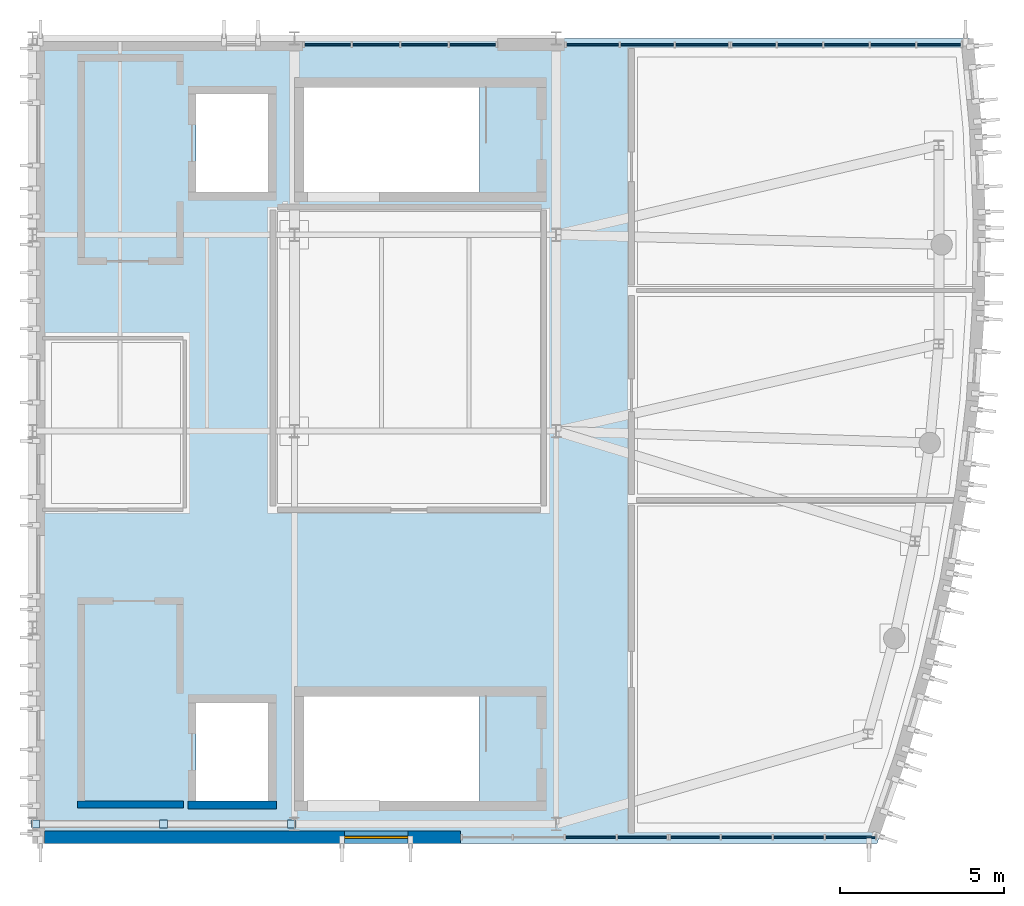
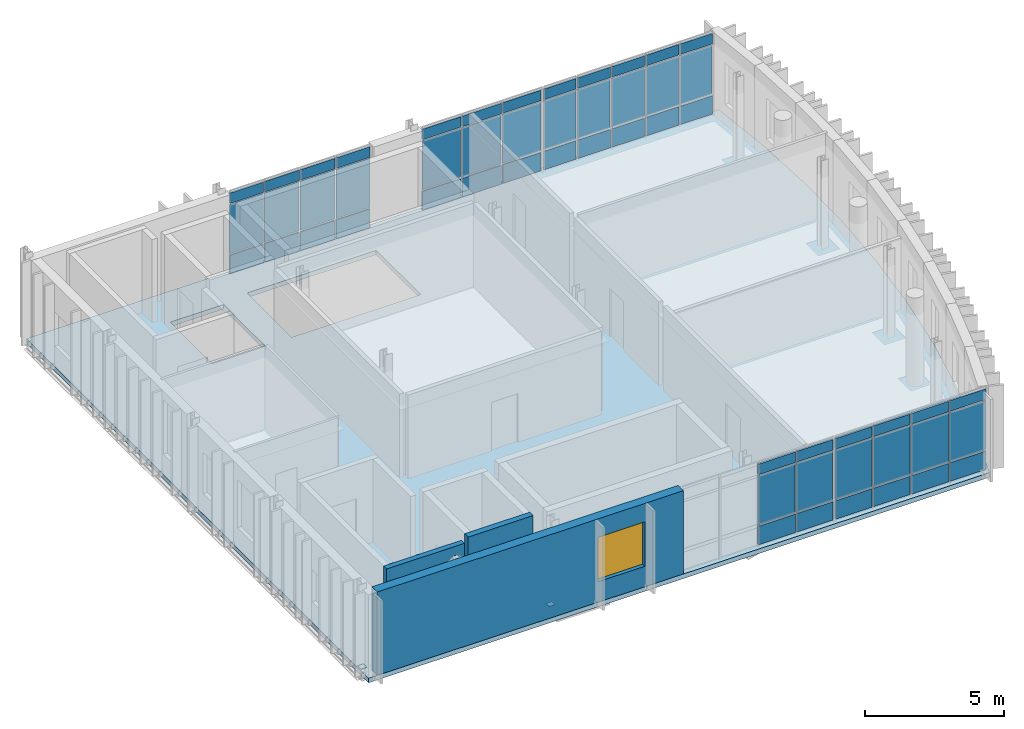
# One storey, part 5 of 9: 57 plates, 3 walls, 1 slab, 1 window, 1 opening, 5 elements without a shape of their own.
"""IFC4 building model written with IfcOpenShell, lengths in metres."""

from ifc_helpers import new_model, si_unit, direction, frame, frame_2d, origin, origin_2d, place, context, subcontext, project, spatial, polyline, rectangle, outline, extrude, material, layer, layer_set, type_object, element, fill, aggregate, save


model = new_model("IFC4")

# Units and contexts
model_context = context("Model", 3, precision=1e-05, world=origin(), true_north=direction((0.0, 1.0)))
body_context = subcontext(model_context, "Body", "Model", "MODEL_VIEW")
ifc_project = project(units=[si_unit("LENGTHUNIT", "METRE"), si_unit("AREAUNIT", "SQUARE_METRE"), si_unit("VOLUMEUNIT", "CUBIC_METRE"), si_unit("PLANEANGLEUNIT", "RADIAN"), si_unit("MASSUNIT", "GRAM", prefix="KILO")], contexts=[model_context])

# Site, building, storey
site_placement = place(None, origin())
site = spatial("IfcSite", under=ifc_project, at=site_placement, CompositionType="ELEMENT")
building_placement = place(site_placement, origin())
building = spatial("IfcBuilding", under=site, at=building_placement, Name="Cymarion Research Institute", CompositionType="ELEMENT")
storey_placement = place(building_placement, frame((0.0, 0.0, 42.300048828125)))
storey = spatial("IfcBuildingStorey", under=building, at=storey_placement, Name="L10", CompositionType="ELEMENT", Elevation=42.300048828125)

# Slab
ifc_material_1 = material(Name="Concrete C35/45", Category="concrete")
ifc_layer_1 = layer(ifc_material_1, 0.199951171875)
ifc_layer_set_1 = layer_set([ifc_layer_1], Name="Concrete C35/45")
slab_type = type_object("IfcSlabType", Name="COMPOSITE FLOOR SLAB SL-FL200 200MM", PredefinedType="FLOOR", material=ifc_layer_set_1)
slab_placement = place(storey_placement, frame((0.0, 0.0, -0.199951171875)))
element("IfcSlab", 1, at=slab_placement, inside=storey, type_object=slab_type, Name="L10 V1 floor slab", PredefinedType="FLOOR", context=body_context, shape_type="SweptSolid", body=[
    extrude(outline(polyline([(138.60009765625, 4.89990234375), (164.39990234375, 4.89990234375), (165.30810546875, 7.526611328125), (166.07470703125, 10.197998046875), (166.697509765625, 12.906494140625), (167.1748046875, 15.64453125), (167.5048828125, 18.404052734375), (167.68701171875, 21.177490234375), (167.720947265625, 23.956298828125), (167.606201171875, 26.733154296875), (167.343505859375, 29.5), (138.60009765625, 29.5), (138.60009765625, 4.89990234375)]), holes=[polyline([(152.260009765625, 9.39990234375), (146.89990234375, 9.39990234375), (146.89990234375, 6.199951171875), (152.260009765625, 6.199951171875), (152.260009765625, 9.39990234375)]), polyline([(143.60009765625, 6.199951171875), (145.800048828125, 6.199951171875), (145.800048828125, 9.199951171875), (143.60009765625, 9.199951171875), (143.60009765625, 6.199951171875)]), polyline([(152.260009765625, 28.0), (146.89990234375, 28.0), (146.89990234375, 24.800048828125), (152.260009765625, 24.800048828125), (152.260009765625, 28.0)]), polyline([(143.60009765625, 24.800048828125), (145.800048828125, 24.800048828125), (145.800048828125, 27.800048828125), (143.60009765625, 27.800048828125), (143.60009765625, 24.800048828125)])]), origin(), (0.0, 0.0, 1.0), 0.199951171875),
])

# Curtain wall, plates
ifc_material_2 = material(Name="Anodised aluminium unitised curtain wall with Low-E glazing", Category="aluminium")
curtain_wall_type_1 = type_object("IfcCurtainWallType", Name="UNITISED CURTAIN WALL CW78 6360X3660", PredefinedType="NOTDEFINED", material=ifc_material_2)
curtain_wall_1_placement = place(storey_placement, origin())
curtain_wall_1 = element("IfcCurtainWall", 2, at=curtain_wall_1_placement, inside=storey, type_object=curtain_wall_type_1, Name="L10 V1 unitised curtain wall CW78 #253", PredefinedType="NOTDEFINED")
ifc_material_3 = material(Name="Insulated anodised aluminium spandrel panel", Category="aluminium")
ifc_layer_2 = layer(ifc_material_3, 0.06005859375)
ifc_layer_set_2 = layer_set([ifc_layer_2], Name="Insulated anodised aluminium spandrel panel")
plate_type_1 = type_object("IfcPlateType", Name="INSULATED ALUMINIUM SPANDREL PANEL SP01 60MM", PredefinedType="SHEET", material=ifc_layer_set_2)
plate_1_placement = place(storey_placement, frame((155.65576171875, 5.090087890625, 0.059814453125), z_axis=(0.0, 0.0, 1.0), x_axis=(1.0, 0.0, 0.0)))
plate_1 = element("IfcPlate", 3, at=plate_1_placement, type_object=plate_type_1, Name="CW78 panel 3.1", PredefinedType="SHEET", context=body_context, shape_type="SweptSolid", body=[
    extrude(rectangle(XDim=1.52978515625, YDim=0.06005859375, at=origin_2d()), origin(), (0.0, 0.0, 1.0), 0.81005859375),
])
plate_2_placement = place(storey_placement, frame((155.65576171875, 5.090087890625, 3.139892578125), z_axis=(0.0, 0.0, 1.0), x_axis=(1.0, 0.0, 0.0)))
plate_2 = element("IfcPlate", 4, at=plate_2_placement, type_object=plate_type_1, Name="CW78 panel 3.3", PredefinedType="SHEET", context=body_context, shape_type="SweptSolid", body=[
    extrude(rectangle(XDim=1.52978515625, YDim=0.06005859375, at=origin_2d()), origin(), (0.0, 0.0, 1.0), 0.4599609375),
])
plate_3_placement = place(storey_placement, frame((157.23046875, 5.090087890625, 0.059814453125), z_axis=(0.0, 0.0, 1.0), x_axis=(1.0, 0.0, 0.0)))
plate_3 = element("IfcPlate", 5, at=plate_3_placement, type_object=plate_type_1, Name="CW78 panel 4.1", PredefinedType="SHEET", context=body_context, shape_type="SweptSolid", body=[
    extrude(rectangle(XDim=1.499755859375, YDim=0.06005859375, at=origin_2d()), origin(), (0.0, 0.0, 1.0), 0.81005859375),
])
plate_4_placement = place(storey_placement, frame((157.23046875, 5.090087890625, 3.139892578125), z_axis=(0.0, 0.0, 1.0), x_axis=(1.0, 0.0, 0.0)))
plate_4 = element("IfcPlate", 6, at=plate_4_placement, type_object=plate_type_1, Name="CW78 panel 4.3", PredefinedType="SHEET", context=body_context, shape_type="SweptSolid", body=[
    extrude(rectangle(XDim=1.499755859375, YDim=0.06005859375, at=origin_2d()), origin(), (0.0, 0.0, 1.0), 0.4599609375),
])

curtain_wall_2_placement = place(storey_placement, origin())
curtain_wall_2 = element("IfcCurtainWall", 7, at=curtain_wall_2_placement, inside=storey, type_object=curtain_wall_type_1, Name="L10 V1 unitised curtain wall CW78 #254", PredefinedType="NOTDEFINED")
plate_5_placement = place(storey_placement, frame((158.850341796875, 5.090087890625, 0.059814453125), z_axis=(0.0, 0.0, 1.0), x_axis=(1.0, 0.0, 0.0)))
plate_5 = element("IfcPlate", 8, at=plate_5_placement, type_object=plate_type_1, Name="CW78 panel 1.1", PredefinedType="SHEET", context=body_context, shape_type="SweptSolid", body=[
    extrude(rectangle(XDim=1.499755859375, YDim=0.06005859375, at=origin_2d()), origin(), (0.0, 0.0, 1.0), 0.81005859375),
])
plate_6_placement = place(storey_placement, frame((158.850341796875, 5.090087890625, 3.139892578125), z_axis=(0.0, 0.0, 1.0), x_axis=(1.0, 0.0, 0.0)))
plate_6 = element("IfcPlate", 9, at=plate_6_placement, type_object=plate_type_1, Name="CW78 panel 1.3", PredefinedType="SHEET", context=body_context, shape_type="SweptSolid", body=[
    extrude(rectangle(XDim=1.499755859375, YDim=0.06005859375, at=origin_2d()), origin(), (0.0, 0.0, 1.0), 0.4599609375),
])
plate_7_placement = place(storey_placement, frame((160.42529296875, 5.090087890625, 0.059814453125), z_axis=(0.0, 0.0, 1.0), x_axis=(1.0, 0.0, 0.0)))
plate_7 = element("IfcPlate", 10, at=plate_7_placement, type_object=plate_type_1, Name="CW78 panel 2.1", PredefinedType="SHEET", context=body_context, shape_type="SweptSolid", body=[
    extrude(rectangle(XDim=1.52978515625, YDim=0.06005859375, at=origin_2d()), origin(), (0.0, 0.0, 1.0), 0.81005859375),
])
plate_8_placement = place(storey_placement, frame((160.42529296875, 5.090087890625, 3.139892578125), z_axis=(0.0, 0.0, 1.0), x_axis=(1.0, 0.0, 0.0)))
plate_8 = element("IfcPlate", 11, at=plate_8_placement, type_object=plate_type_1, Name="CW78 panel 2.3", PredefinedType="SHEET", context=body_context, shape_type="SweptSolid", body=[
    extrude(rectangle(XDim=1.52978515625, YDim=0.06005859375, at=origin_2d()), origin(), (0.0, 0.0, 1.0), 0.4599609375),
])
plate_9_placement = place(storey_placement, frame((162.01513671875, 5.090087890625, 0.059814453125), z_axis=(0.0, 0.0, 1.0), x_axis=(1.0, 0.0, 0.0)))
plate_9 = element("IfcPlate", 12, at=plate_9_placement, type_object=plate_type_1, Name="CW78 panel 3.1", PredefinedType="SHEET", context=body_context, shape_type="SweptSolid", body=[
    extrude(rectangle(XDim=1.52978515625, YDim=0.06005859375, at=origin_2d()), origin(), (0.0, 0.0, 1.0), 0.81005859375),
])
plate_10_placement = place(storey_placement, frame((162.01513671875, 5.090087890625, 3.139892578125), z_axis=(0.0, 0.0, 1.0), x_axis=(1.0, 0.0, 0.0)))
plate_10 = element("IfcPlate", 13, at=plate_10_placement, type_object=plate_type_1, Name="CW78 panel 3.3", PredefinedType="SHEET", context=body_context, shape_type="SweptSolid", body=[
    extrude(rectangle(XDim=1.52978515625, YDim=0.06005859375, at=origin_2d()), origin(), (0.0, 0.0, 1.0), 0.4599609375),
])
plate_11_placement = place(storey_placement, frame((163.590087890625, 5.090087890625, 0.059814453125), z_axis=(0.0, 0.0, 1.0), x_axis=(1.0, 0.0, 0.0)))
plate_11 = element("IfcPlate", 14, at=plate_11_placement, type_object=plate_type_1, Name="CW78 panel 4.1", PredefinedType="SHEET", context=body_context, shape_type="SweptSolid", body=[
    extrude(rectangle(XDim=1.499755859375, YDim=0.06005859375, at=origin_2d()), origin(), (0.0, 0.0, 1.0), 0.81005859375),
])
plate_12_placement = place(storey_placement, frame((163.590087890625, 5.090087890625, 3.139892578125), z_axis=(0.0, 0.0, 1.0), x_axis=(1.0, 0.0, 0.0)))
plate_12 = element("IfcPlate", 15, at=plate_12_placement, type_object=plate_type_1, Name="CW78 panel 4.3", PredefinedType="SHEET", context=body_context, shape_type="SweptSolid", body=[
    extrude(rectangle(XDim=1.499755859375, YDim=0.06005859375, at=origin_2d()), origin(), (0.0, 0.0, 1.0), 0.4599609375),
])

curtain_wall_type_2 = type_object("IfcCurtainWallType", Name="UNITISED CURTAIN WALL CW79 7100X3660", PredefinedType="NOTDEFINED", material=ifc_material_2)
curtain_wall_3_placement = place(storey_placement, origin())
curtain_wall_3 = element("IfcCurtainWall", 16, at=curtain_wall_3_placement, inside=storey, type_object=curtain_wall_type_2, Name="L10 V1 unitised curtain wall CW79 #255", PredefinedType="NOTDEFINED")
plate_13_placement = place(storey_placement, frame((166.29052734375, 29.31005859375, 0.059814453125), z_axis=(0.0, 0.0, 1.0), x_axis=(-1.0, 0.0, 0.0)))
plate_13 = element("IfcPlate", 17, at=plate_13_placement, type_object=plate_type_1, Name="CW79 panel 1.1", PredefinedType="SHEET", context=body_context, shape_type="SweptSolid", body=[
    extrude(rectangle(XDim=1.330810546875, YDim=0.06005859375, at=origin_2d()), origin(), (0.0, 0.0, 1.0), 0.81005859375),
])
plate_14_placement = place(storey_placement, frame((166.29052734375, 29.31005859375, 3.139892578125), z_axis=(0.0, 0.0, 1.0), x_axis=(-1.0, 0.0, 0.0)))
plate_14 = element("IfcPlate", 18, at=plate_14_placement, type_object=plate_type_1, Name="CW79 panel 1.3", PredefinedType="SHEET", context=body_context, shape_type="SweptSolid", body=[
    extrude(rectangle(XDim=1.330810546875, YDim=0.06005859375, at=origin_2d()), origin(), (0.0, 0.0, 1.0), 0.4599609375),
])
plate_15_placement = place(storey_placement, frame((164.884765625, 29.31005859375, 0.059814453125), z_axis=(0.0, 0.0, 1.0), x_axis=(-1.0, 0.0, 0.0)))
plate_15 = element("IfcPlate", 19, at=plate_15_placement, type_object=plate_type_1, Name="CW79 panel 2.1", PredefinedType="SHEET", context=body_context, shape_type="SweptSolid", body=[
    extrude(rectangle(XDim=1.36083984375, YDim=0.06005859375, at=origin_2d()), origin(), (0.0, 0.0, 1.0), 0.81005859375),
])
plate_16_placement = place(storey_placement, frame((164.884765625, 29.31005859375, 3.139892578125), z_axis=(0.0, 0.0, 1.0), x_axis=(-1.0, 0.0, 0.0)))
plate_16 = element("IfcPlate", 20, at=plate_16_placement, type_object=plate_type_1, Name="CW79 panel 2.3", PredefinedType="SHEET", context=body_context, shape_type="SweptSolid", body=[
    extrude(rectangle(XDim=1.36083984375, YDim=0.06005859375, at=origin_2d()), origin(), (0.0, 0.0, 1.0), 0.4599609375),
])
plate_17_placement = place(storey_placement, frame((163.4638671875, 29.31005859375, 0.059814453125), z_axis=(0.0, 0.0, 1.0), x_axis=(-1.0, 0.0, 0.0)))
plate_17 = element("IfcPlate", 21, at=plate_17_placement, type_object=plate_type_1, Name="CW79 panel 3.1", PredefinedType="SHEET", context=body_context, shape_type="SweptSolid", body=[
    extrude(rectangle(XDim=1.36083984375, YDim=0.06005859375, at=origin_2d()), origin(), (0.0, 0.0, 1.0), 0.81005859375),
])
plate_18_placement = place(storey_placement, frame((163.4638671875, 29.31005859375, 3.139892578125), z_axis=(0.0, 0.0, 1.0), x_axis=(-1.0, 0.0, 0.0)))
plate_18 = element("IfcPlate", 22, at=plate_18_placement, type_object=plate_type_1, Name="CW79 panel 3.3", PredefinedType="SHEET", context=body_context, shape_type="SweptSolid", body=[
    extrude(rectangle(XDim=1.36083984375, YDim=0.06005859375, at=origin_2d()), origin(), (0.0, 0.0, 1.0), 0.4599609375),
])
plate_19_placement = place(storey_placement, frame((162.043212890625, 29.31005859375, 0.059814453125), z_axis=(0.0, 0.0, 1.0), x_axis=(-1.0, 0.0, 0.0)))
plate_19 = element("IfcPlate", 23, at=plate_19_placement, type_object=plate_type_1, Name="CW79 panel 4.1", PredefinedType="SHEET", context=body_context, shape_type="SweptSolid", body=[
    extrude(rectangle(XDim=1.36083984375, YDim=0.06005859375, at=origin_2d()), origin(), (0.0, 0.0, 1.0), 0.81005859375),
])
plate_20_placement = place(storey_placement, frame((162.043212890625, 29.31005859375, 3.139892578125), z_axis=(0.0, 0.0, 1.0), x_axis=(-1.0, 0.0, 0.0)))
plate_20 = element("IfcPlate", 24, at=plate_20_placement, type_object=plate_type_1, Name="CW79 panel 4.3", PredefinedType="SHEET", context=body_context, shape_type="SweptSolid", body=[
    extrude(rectangle(XDim=1.36083984375, YDim=0.06005859375, at=origin_2d()), origin(), (0.0, 0.0, 1.0), 0.4599609375),
])
plate_21_placement = place(storey_placement, frame((160.63720703125, 29.31005859375, 0.059814453125), z_axis=(0.0, 0.0, 1.0), x_axis=(-1.0, 0.0, 0.0)))
plate_21 = element("IfcPlate", 25, at=plate_21_placement, type_object=plate_type_1, Name="CW79 panel 5.1", PredefinedType="SHEET", context=body_context, shape_type="SweptSolid", body=[
    extrude(rectangle(XDim=1.330810546875, YDim=0.06005859375, at=origin_2d()), origin(), (0.0, 0.0, 1.0), 0.81005859375),
])
plate_22_placement = place(storey_placement, frame((160.63720703125, 29.31005859375, 3.139892578125), z_axis=(0.0, 0.0, 1.0), x_axis=(-1.0, 0.0, 0.0)))
plate_22 = element("IfcPlate", 26, at=plate_22_placement, type_object=plate_type_1, Name="CW79 panel 5.3", PredefinedType="SHEET", context=body_context, shape_type="SweptSolid", body=[
    extrude(rectangle(XDim=1.330810546875, YDim=0.06005859375, at=origin_2d()), origin(), (0.0, 0.0, 1.0), 0.4599609375),
])

curtain_wall_type_3 = type_object("IfcCurtainWallType", Name="UNITISED CURTAIN WALL CW80 5050X3660", PredefinedType="NOTDEFINED", material=ifc_material_2)
curtain_wall_4_placement = place(storey_placement, origin())
curtain_wall_4 = element("IfcCurtainWall", 27, at=curtain_wall_4_placement, inside=storey, type_object=curtain_wall_type_3, Name="L10 V1 unitised curtain wall CW80 #256", PredefinedType="NOTDEFINED")
plate_23_placement = place(storey_placement, frame((159.054931640625, 29.31005859375, 0.059814453125), z_axis=(0.0, 0.0, 1.0), x_axis=(-1.0, 0.0, 0.0)))
plate_23 = element("IfcPlate", 28, at=plate_23_placement, type_object=plate_type_1, Name="CW80 panel 1.1", PredefinedType="SHEET", context=body_context, shape_type="SweptSolid", body=[
    extrude(rectangle(XDim=1.593994140625, YDim=0.06005859375, at=origin_2d()), origin(), (0.0, 0.0, 1.0), 0.81005859375),
])
plate_24_placement = place(storey_placement, frame((159.054931640625, 29.31005859375, 3.139892578125), z_axis=(0.0, 0.0, 1.0), x_axis=(-1.0, 0.0, 0.0)))
plate_24 = element("IfcPlate", 29, at=plate_24_placement, type_object=plate_type_1, Name="CW80 panel 1.3", PredefinedType="SHEET", context=body_context, shape_type="SweptSolid", body=[
    extrude(rectangle(XDim=1.593994140625, YDim=0.06005859375, at=origin_2d()), origin(), (0.0, 0.0, 1.0), 0.4599609375),
])
plate_25_placement = place(storey_placement, frame((157.385986328125, 29.31005859375, 0.059814453125), z_axis=(0.0, 0.0, 1.0), x_axis=(-1.0, 0.0, 0.0)))
plate_25 = element("IfcPlate", 30, at=plate_25_placement, type_object=plate_type_1, Name="CW80 panel 2.1", PredefinedType="SHEET", context=body_context, shape_type="SweptSolid", body=[
    extrude(rectangle(XDim=1.6240234375, YDim=0.06005859375, at=origin_2d()), origin(), (0.0, 0.0, 1.0), 0.81005859375),
])
plate_26_placement = place(storey_placement, frame((157.385986328125, 29.31005859375, 3.139892578125), z_axis=(0.0, 0.0, 1.0), x_axis=(-1.0, 0.0, 0.0)))
plate_26 = element("IfcPlate", 31, at=plate_26_placement, type_object=plate_type_1, Name="CW80 panel 2.3", PredefinedType="SHEET", context=body_context, shape_type="SweptSolid", body=[
    extrude(rectangle(XDim=1.6240234375, YDim=0.06005859375, at=origin_2d()), origin(), (0.0, 0.0, 1.0), 0.4599609375),
])
plate_27_placement = place(storey_placement, frame((155.717041015625, 29.31005859375, 0.059814453125), z_axis=(0.0, 0.0, 1.0), x_axis=(-1.0, 0.0, 0.0)))
plate_27 = element("IfcPlate", 32, at=plate_27_placement, type_object=plate_type_1, Name="CW80 panel 3.1", PredefinedType="SHEET", context=body_context, shape_type="SweptSolid", body=[
    extrude(rectangle(XDim=1.593994140625, YDim=0.06005859375, at=origin_2d()), origin(), (0.0, 0.0, 1.0), 0.81005859375),
])
plate_28_placement = place(storey_placement, frame((155.717041015625, 29.31005859375, 3.139892578125), z_axis=(0.0, 0.0, 1.0), x_axis=(-1.0, 0.0, 0.0)))
plate_28 = element("IfcPlate", 33, at=plate_28_placement, type_object=plate_type_1, Name="CW80 panel 3.3", PredefinedType="SHEET", context=body_context, shape_type="SweptSolid", body=[
    extrude(rectangle(XDim=1.593994140625, YDim=0.06005859375, at=origin_2d()), origin(), (0.0, 0.0, 1.0), 0.4599609375),
])

curtain_wall_type_4 = type_object("IfcCurtainWallType", Name="UNITISED CURTAIN WALL CW81 5950X3660", PredefinedType="NOTDEFINED", material=ifc_material_2)
curtain_wall_5_placement = place(storey_placement, origin())
curtain_wall_5 = element("IfcCurtainWall", 34, at=curtain_wall_5_placement, inside=storey, type_object=curtain_wall_type_4, Name="L10 V1 unitised curtain wall CW81 #257", PredefinedType="NOTDEFINED")
plate_29_placement = place(storey_placement, frame((152.04931640625, 29.31005859375, 0.059814453125), z_axis=(0.0, 0.0, 1.0), x_axis=(-1.0, 0.0, 0.0)))
plate_29 = element("IfcPlate", 35, at=plate_29_placement, type_object=plate_type_1, Name="CW81 panel 1.1", PredefinedType="SHEET", context=body_context, shape_type="SweptSolid", body=[
    extrude(rectangle(XDim=1.39697265625, YDim=0.06005859375, at=origin_2d()), origin(), (0.0, 0.0, 1.0), 0.81005859375),
])
plate_30_placement = place(storey_placement, frame((152.04931640625, 29.31005859375, 3.139892578125), z_axis=(0.0, 0.0, 1.0), x_axis=(-1.0, 0.0, 0.0)))
plate_30 = element("IfcPlate", 36, at=plate_30_placement, type_object=plate_type_1, Name="CW81 panel 1.3", PredefinedType="SHEET", context=body_context, shape_type="SweptSolid", body=[
    extrude(rectangle(XDim=1.39697265625, YDim=0.06005859375, at=origin_2d()), origin(), (0.0, 0.0, 1.0), 0.4599609375),
])
plate_31_placement = place(storey_placement, frame((150.577392578125, 29.31005859375, 0.059814453125), z_axis=(0.0, 0.0, 1.0), x_axis=(-1.0, 0.0, 0.0)))
plate_31 = element("IfcPlate", 37, at=plate_31_placement, type_object=plate_type_1, Name="CW81 panel 2.1", PredefinedType="SHEET", context=body_context, shape_type="SweptSolid", body=[
    extrude(rectangle(XDim=1.427001953125, YDim=0.06005859375, at=origin_2d()), origin(), (0.0, 0.0, 1.0), 0.81005859375),
])
plate_32_placement = place(storey_placement, frame((150.577392578125, 29.31005859375, 3.139892578125), z_axis=(0.0, 0.0, 1.0), x_axis=(-1.0, 0.0, 0.0)))
plate_32 = element("IfcPlate", 38, at=plate_32_placement, type_object=plate_type_1, Name="CW81 panel 2.3", PredefinedType="SHEET", context=body_context, shape_type="SweptSolid", body=[
    extrude(rectangle(XDim=1.427001953125, YDim=0.06005859375, at=origin_2d()), origin(), (0.0, 0.0, 1.0), 0.4599609375),
])
plate_33_placement = place(storey_placement, frame((149.090576171875, 29.31005859375, 0.059814453125), z_axis=(0.0, 0.0, 1.0), x_axis=(-1.0, 0.0, 0.0)))
plate_33 = element("IfcPlate", 39, at=plate_33_placement, type_object=plate_type_1, Name="CW81 panel 3.1", PredefinedType="SHEET", context=body_context, shape_type="SweptSolid", body=[
    extrude(rectangle(XDim=1.427001953125, YDim=0.06005859375, at=origin_2d()), origin(), (0.0, 0.0, 1.0), 0.81005859375),
])
plate_34_placement = place(storey_placement, frame((149.090576171875, 29.31005859375, 3.139892578125), z_axis=(0.0, 0.0, 1.0), x_axis=(-1.0, 0.0, 0.0)))
plate_34 = element("IfcPlate", 40, at=plate_34_placement, type_object=plate_type_1, Name="CW81 panel 3.3", PredefinedType="SHEET", context=body_context, shape_type="SweptSolid", body=[
    extrude(rectangle(XDim=1.427001953125, YDim=0.06005859375, at=origin_2d()), origin(), (0.0, 0.0, 1.0), 0.4599609375),
])
plate_35_placement = place(storey_placement, frame((147.618408203125, 29.31005859375, 0.059814453125), z_axis=(0.0, 0.0, 1.0), x_axis=(-1.0, 0.0, 0.0)))
plate_35 = element("IfcPlate", 41, at=plate_35_placement, type_object=plate_type_1, Name="CW81 panel 4.1", PredefinedType="SHEET", context=body_context, shape_type="SweptSolid", body=[
    extrude(rectangle(XDim=1.39697265625, YDim=0.06005859375, at=origin_2d()), origin(), (0.0, 0.0, 1.0), 0.81005859375),
])
plate_36_placement = place(storey_placement, frame((147.618408203125, 29.31005859375, 3.139892578125), z_axis=(0.0, 0.0, 1.0), x_axis=(-1.0, 0.0, 0.0)))
plate_36 = element("IfcPlate", 42, at=plate_36_placement, type_object=plate_type_1, Name="CW81 panel 4.3", PredefinedType="SHEET", context=body_context, shape_type="SweptSolid", body=[
    extrude(rectangle(XDim=1.39697265625, YDim=0.06005859375, at=origin_2d()), origin(), (0.0, 0.0, 1.0), 0.4599609375),
])

# Plate
ifc_material_4 = material(Name="Low-E double solar-control glazing", Category="glass")
ifc_layer_3 = layer(ifc_material_4, 0.035888671875)
ifc_layer_set_3 = layer_set([ifc_layer_3], Name="Low-E double solar-control glazing")
plate_type_2 = type_object("IfcPlateType", Name="SOLAR CONTROL GLAZED VISION PANEL GP01 36MM", PredefinedType="CURTAIN_PANEL", material=ifc_layer_set_3)
plate_37_placement = place(storey_placement, frame((155.65576171875, 5.090087890625, 0.929931640625), z_axis=(0.0, 0.0, 1.0), x_axis=(1.0, 0.0, 0.0)))
plate_37 = element("IfcPlate", 43, at=plate_37_placement, type_object=plate_type_2, Name="CW78 panel 3.2", PredefinedType="CURTAIN_PANEL", context=body_context, shape_type="SweptSolid", body=[
    extrude(rectangle(XDim=1.52978515625, YDim=0.035888671875, at=origin_2d()), origin(), (0.0, 0.0, 1.0), 2.14990234375),
])

plate_38_placement = place(storey_placement, frame((157.23046875, 5.090087890625, 0.929931640625), z_axis=(0.0, 0.0, 1.0), x_axis=(1.0, 0.0, 0.0)))
plate_38 = element("IfcPlate", 44, at=plate_38_placement, type_object=plate_type_2, Name="CW78 panel 4.2", PredefinedType="CURTAIN_PANEL", context=body_context, shape_type="SweptSolid", body=[
    extrude(rectangle(XDim=1.499755859375, YDim=0.035888671875, at=origin_2d()), origin(), (0.0, 0.0, 1.0), 2.14990234375),
])

aggregate(curtain_wall_1, [plate_1, plate_37, plate_2, plate_3, plate_38, plate_4])

plate_39_placement = place(storey_placement, frame((158.850341796875, 5.090087890625, 0.929931640625), z_axis=(0.0, 0.0, 1.0), x_axis=(1.0, 0.0, 0.0)))
plate_39 = element("IfcPlate", 45, at=plate_39_placement, type_object=plate_type_2, Name="CW78 panel 1.2", PredefinedType="CURTAIN_PANEL", context=body_context, shape_type="SweptSolid", body=[
    extrude(rectangle(XDim=1.499755859375, YDim=0.035888671875, at=origin_2d()), origin(), (0.0, 0.0, 1.0), 2.14990234375),
])

plate_40_placement = place(storey_placement, frame((160.42529296875, 5.090087890625, 0.929931640625), z_axis=(0.0, 0.0, 1.0), x_axis=(1.0, 0.0, 0.0)))
plate_40 = element("IfcPlate", 46, at=plate_40_placement, type_object=plate_type_2, Name="CW78 panel 2.2", PredefinedType="CURTAIN_PANEL", context=body_context, shape_type="SweptSolid", body=[
    extrude(rectangle(XDim=1.52978515625, YDim=0.035888671875, at=origin_2d()), origin(), (0.0, 0.0, 1.0), 2.14990234375),
])

plate_41_placement = place(storey_placement, frame((162.01513671875, 5.090087890625, 0.929931640625), z_axis=(0.0, 0.0, 1.0), x_axis=(1.0, 0.0, 0.0)))
plate_41 = element("IfcPlate", 47, at=plate_41_placement, type_object=plate_type_2, Name="CW78 panel 3.2", PredefinedType="CURTAIN_PANEL", context=body_context, shape_type="SweptSolid", body=[
    extrude(rectangle(XDim=1.52978515625, YDim=0.035888671875, at=origin_2d()), origin(), (0.0, 0.0, 1.0), 2.14990234375),
])

plate_42_placement = place(storey_placement, frame((163.590087890625, 5.090087890625, 0.929931640625), z_axis=(0.0, 0.0, 1.0), x_axis=(1.0, 0.0, 0.0)))
plate_42 = element("IfcPlate", 48, at=plate_42_placement, type_object=plate_type_2, Name="CW78 panel 4.2", PredefinedType="CURTAIN_PANEL", context=body_context, shape_type="SweptSolid", body=[
    extrude(rectangle(XDim=1.499755859375, YDim=0.035888671875, at=origin_2d()), origin(), (0.0, 0.0, 1.0), 2.14990234375),
])

aggregate(curtain_wall_2, [plate_5, plate_39, plate_6, plate_7, plate_40, plate_8, plate_9, plate_41, plate_10, plate_11, plate_42, plate_12])

plate_43_placement = place(storey_placement, frame((166.29052734375, 29.31005859375, 0.929931640625), z_axis=(0.0, 0.0, 1.0), x_axis=(-1.0, 0.0, 0.0)))
plate_43 = element("IfcPlate", 49, at=plate_43_placement, type_object=plate_type_2, Name="CW79 panel 1.2", PredefinedType="CURTAIN_PANEL", context=body_context, shape_type="SweptSolid", body=[
    extrude(rectangle(XDim=1.330810546875, YDim=0.035888671875, at=origin_2d()), origin(), (0.0, 0.0, 1.0), 2.14990234375),
])

plate_44_placement = place(storey_placement, frame((164.884765625, 29.31005859375, 0.929931640625), z_axis=(0.0, 0.0, 1.0), x_axis=(-1.0, 0.0, 0.0)))
plate_44 = element("IfcPlate", 50, at=plate_44_placement, type_object=plate_type_2, Name="CW79 panel 2.2", PredefinedType="CURTAIN_PANEL", context=body_context, shape_type="SweptSolid", body=[
    extrude(rectangle(XDim=1.36083984375, YDim=0.035888671875, at=origin_2d()), origin(), (0.0, 0.0, 1.0), 2.14990234375),
])

plate_45_placement = place(storey_placement, frame((163.4638671875, 29.31005859375, 0.929931640625), z_axis=(0.0, 0.0, 1.0), x_axis=(-1.0, 0.0, 0.0)))
plate_45 = element("IfcPlate", 51, at=plate_45_placement, type_object=plate_type_2, Name="CW79 panel 3.2", PredefinedType="CURTAIN_PANEL", context=body_context, shape_type="SweptSolid", body=[
    extrude(rectangle(XDim=1.36083984375, YDim=0.035888671875, at=origin_2d()), origin(), (0.0, 0.0, 1.0), 2.14990234375),
])

plate_46_placement = place(storey_placement, frame((162.043212890625, 29.31005859375, 0.929931640625), z_axis=(0.0, 0.0, 1.0), x_axis=(-1.0, 0.0, 0.0)))
plate_46 = element("IfcPlate", 52, at=plate_46_placement, type_object=plate_type_2, Name="CW79 panel 4.2", PredefinedType="CURTAIN_PANEL", context=body_context, shape_type="SweptSolid", body=[
    extrude(rectangle(XDim=1.36083984375, YDim=0.035888671875, at=origin_2d()), origin(), (0.0, 0.0, 1.0), 2.14990234375),
])

plate_47_placement = place(storey_placement, frame((160.63720703125, 29.31005859375, 0.929931640625), z_axis=(0.0, 0.0, 1.0), x_axis=(-1.0, 0.0, 0.0)))
plate_47 = element("IfcPlate", 53, at=plate_47_placement, type_object=plate_type_2, Name="CW79 panel 5.2", PredefinedType="CURTAIN_PANEL", context=body_context, shape_type="SweptSolid", body=[
    extrude(rectangle(XDim=1.330810546875, YDim=0.035888671875, at=origin_2d()), origin(), (0.0, 0.0, 1.0), 2.14990234375),
])

aggregate(curtain_wall_3, [plate_13, plate_43, plate_14, plate_15, plate_44, plate_16, plate_17, plate_45, plate_18, plate_19, plate_46, plate_20, plate_21, plate_47, plate_22])

plate_48_placement = place(storey_placement, frame((159.054931640625, 29.31005859375, 0.929931640625), z_axis=(0.0, 0.0, 1.0), x_axis=(-1.0, 0.0, 0.0)))
plate_48 = element("IfcPlate", 54, at=plate_48_placement, type_object=plate_type_2, Name="CW80 panel 1.2", PredefinedType="CURTAIN_PANEL", context=body_context, shape_type="SweptSolid", body=[
    extrude(rectangle(XDim=1.593994140625, YDim=0.035888671875, at=origin_2d()), origin(), (0.0, 0.0, 1.0), 2.14990234375),
])

plate_49_placement = place(storey_placement, frame((157.385986328125, 29.31005859375, 0.929931640625), z_axis=(0.0, 0.0, 1.0), x_axis=(-1.0, 0.0, 0.0)))
plate_49 = element("IfcPlate", 55, at=plate_49_placement, type_object=plate_type_2, Name="CW80 panel 2.2", PredefinedType="CURTAIN_PANEL", context=body_context, shape_type="SweptSolid", body=[
    extrude(rectangle(XDim=1.6240234375, YDim=0.035888671875, at=origin_2d()), origin(), (0.0, 0.0, 1.0), 2.14990234375),
])

plate_50_placement = place(storey_placement, frame((155.717041015625, 29.31005859375, 0.929931640625), z_axis=(0.0, 0.0, 1.0), x_axis=(-1.0, 0.0, 0.0)))
plate_50 = element("IfcPlate", 56, at=plate_50_placement, type_object=plate_type_2, Name="CW80 panel 3.2", PredefinedType="CURTAIN_PANEL", context=body_context, shape_type="SweptSolid", body=[
    extrude(rectangle(XDim=1.593994140625, YDim=0.035888671875, at=origin_2d()), origin(), (0.0, 0.0, 1.0), 2.14990234375),
])

aggregate(curtain_wall_4, [plate_23, plate_48, plate_24, plate_25, plate_49, plate_26, plate_27, plate_50, plate_28])

plate_51_placement = place(storey_placement, frame((152.04931640625, 29.31005859375, 0.929931640625), z_axis=(0.0, 0.0, 1.0), x_axis=(-1.0, 0.0, 0.0)))
plate_51 = element("IfcPlate", 57, at=plate_51_placement, type_object=plate_type_2, Name="CW81 panel 1.2", PredefinedType="CURTAIN_PANEL", context=body_context, shape_type="SweptSolid", body=[
    extrude(rectangle(XDim=1.39697265625, YDim=0.035888671875, at=origin_2d()), origin(), (0.0, 0.0, 1.0), 2.14990234375),
])

plate_52_placement = place(storey_placement, frame((150.577392578125, 29.31005859375, 0.929931640625), z_axis=(0.0, 0.0, 1.0), x_axis=(-1.0, 0.0, 0.0)))
plate_52 = element("IfcPlate", 58, at=plate_52_placement, type_object=plate_type_2, Name="CW81 panel 2.2", PredefinedType="CURTAIN_PANEL", context=body_context, shape_type="SweptSolid", body=[
    extrude(rectangle(XDim=1.427001953125, YDim=0.035888671875, at=origin_2d()), origin(), (0.0, 0.0, 1.0), 2.14990234375),
])

plate_53_placement = place(storey_placement, frame((149.090576171875, 29.31005859375, 0.929931640625), z_axis=(0.0, 0.0, 1.0), x_axis=(-1.0, 0.0, 0.0)))
plate_53 = element("IfcPlate", 59, at=plate_53_placement, type_object=plate_type_2, Name="CW81 panel 3.2", PredefinedType="CURTAIN_PANEL", context=body_context, shape_type="SweptSolid", body=[
    extrude(rectangle(XDim=1.427001953125, YDim=0.035888671875, at=origin_2d()), origin(), (0.0, 0.0, 1.0), 2.14990234375),
])

plate_54_placement = place(storey_placement, frame((147.618408203125, 29.31005859375, 0.929931640625), z_axis=(0.0, 0.0, 1.0), x_axis=(-1.0, 0.0, 0.0)))
plate_54 = element("IfcPlate", 60, at=plate_54_placement, type_object=plate_type_2, Name="CW81 panel 4.2", PredefinedType="CURTAIN_PANEL", context=body_context, shape_type="SweptSolid", body=[
    extrude(rectangle(XDim=1.39697265625, YDim=0.035888671875, at=origin_2d()), origin(), (0.0, 0.0, 1.0), 2.14990234375),
])

aggregate(curtain_wall_5, [plate_29, plate_51, plate_30, plate_31, plate_52, plate_32, plate_33, plate_53, plate_34, plate_35, plate_54, plate_36])

# Plates
ifc_material_5 = material(Name="Steel S355", Category="steel")
ifc_layer_4 = layer(ifc_material_5, 0.011962890625)
ifc_layer_set_4 = layer_set([ifc_layer_4], Name="Steel S355")
plate_type_3 = type_object("IfcPlateType", Name="STEEL NODE GUSSET PLATE CP02 12MM", PredefinedType="USERDEFINED", material=ifc_layer_set_4)
for number, where, z_axis, x_axis, name in (
    (61, (142.60009765625, 5.5, 3.5341796875), (0.0, 0.0, 1.0), (1.0, 0.0, 0.0), "L10 V1 chevron apex gusset plate"),
    (62, (138.691162109375, 5.5, 0.11376953125), (0.0, 0.0, 1.0), (1.0, 0.0, 0.0), "L10 V1 chevron base gusset plate #1"),
    (63, (146.5087890625, 5.5, 0.11376953125), (0.0, 0.0, 1.0), (1.0, 0.0, 0.0), "L10 V1 chevron base gusset plate #2"),
):
    element("IfcPlate", number, at=place(storey_placement, frame(where, z_axis=z_axis, x_axis=x_axis)), inside=storey, type_object=plate_type_3, Name=name, ObjectType="GUSSET PLATE", PredefinedType="USERDEFINED", context=body_context, shape_type="SweptSolid", body=[
        extrude(rectangle(XDim=0.239990234375, YDim=0.239990234375, at=origin_2d()), origin(), (0.0, 0.0, 1.0), 0.011962890625),
    ])

# Wall, opening, window
ifc_material_6 = material(Name="Precast concrete C40/50", Category="concrete")
ifc_layer_5 = layer(ifc_material_6, 0.3798828125)
ifc_layer_set_5 = layer_set([ifc_layer_5], Name="Precast concrete C40/50")
wall_type_1 = type_object("IfcWallType", Name="EXTERIOR WALL EW-PC380 380MM", PredefinedType="SOLIDWALL", material=ifc_layer_set_5)
wall_1_placement = place(storey_placement, frame((138.9619140625, 5.090087890625, 0.0), z_axis=(0.0, 0.0, 1.0), x_axis=(1.0, 0.0, 0.0)))
wall_1 = element("IfcWall", 64, at=wall_1_placement, inside=storey, type_object=wall_type_1, Name="L10 V1 facade pier wall EW-PC380 #323", PredefinedType="SOLIDWALL", context=body_context, shape_type="SweptSolid", body=[
    extrude(rectangle(XDim=12.718994140625, YDim=0.3798828125, at=frame_2d((6.359375, 0.0))), origin(), (0.0, 0.0, 1.0), 3.659912109375),
])
opening_placement = place(wall_1_placement, frame((9.1640625, 0.0, 0.89990234375)))
opening = element("IfcOpeningElement", 65, at=opening_placement, cuts=wall_1, Name="Opening W29", PredefinedType="OPENING", context=body_context, shape_type="SweptSolid", body=[
    extrude(rectangle(XDim=1.949951171875, YDim=1.949951171875, at=frame_2d((0.97509765625, 0.97509765625))), frame((0.0, 0.199951171875, 0.0), z_axis=(0.0, -1.0, 0.0), x_axis=(1.0, 0.0, 0.0)), (0.0, 0.0, 1.0), 0.39990234375),
])
ifc_material_7 = material(Name="Thermally broken aluminium window with Low-E glazing", Category="aluminium")
window_type = type_object("IfcWindowType", Name="THERMALLY BROKEN ALUMINIUM WINDOW W29 1950X1950", PartitioningType="DOUBLE_PANEL_VERTICAL", PredefinedType="WINDOW", material=ifc_material_7)
window_placement = place(opening_placement, origin())
window = element("IfcWindow", 66, at=window_placement, inside=storey, type_object=window_type, Name="L10 V1 facade window W29 #562", OverallHeight=1.949951171875, OverallWidth=1.949951171875, PartitioningType="SINGLE_PANEL", PredefinedType="WINDOW", context=body_context, shape_type="SweptSolid", body=[
    extrude(rectangle(XDim=1.949951171875, YDim=1.949951171875, at=frame_2d((0.97509765625, 0.97509765625))), frame((0.0, 0.030029296875, 0.0), z_axis=(0.0, -1.0, 0.0), x_axis=(1.0, 0.0, 0.0)), (0.0, 0.0, 1.0), 0.06005859375),
])
fill(opening, window)

# Walls
ifc_material_8 = material(Name="Concrete C40/50", Category="concrete")
ifc_layer_6 = layer(ifc_material_8, 0.219970703125)
ifc_layer_set_6 = layer_set([ifc_layer_6], Name="Concrete C40/50")
wall_type_2 = type_object("IfcWallType", Name="REINFORCED CONCRETE CORE WALL CW-FF220 220MM", PredefinedType="SOLIDWALL", material=ifc_layer_set_6)
wall_2_placement = place(storey_placement, frame((139.97998046875, 6.090087890625, 0.0), z_axis=(0.0, 0.0, 1.0), x_axis=(1.0, 0.0, 0.0)))
element("IfcWall", 67, at=wall_2_placement, inside=storey, type_object=wall_type_2, Name="L10 FFL-LF1-L10 south core wall", PredefinedType="SOLIDWALL", context=body_context, shape_type="SweptSolid", body=[
    extrude(rectangle(XDim=3.239990234375, YDim=0.219970703125, at=frame_2d((1.6201171875, 0.0))), origin(), (0.0, 0.0, 1.0), 3.659912109375),
])
ifc_layer_7 = layer(ifc_material_8, 0.25)
ifc_layer_set_7 = layer_set([ifc_layer_7], Name="Concrete C40/50")
wall_type_3 = type_object("IfcWallType", Name="REINFORCED CONCRETE CORE WALL CW-SH250 250MM", PredefinedType="SHEAR", material=ifc_layer_set_7)
wall_3_placement = place(storey_placement, frame((143.35009765625, 6.074951171875, 0.0), z_axis=(0.0, 0.0, 1.0), x_axis=(1.0, 0.0, 0.0)))
element("IfcWall", 68, at=wall_3_placement, inside=storey, type_object=wall_type_3, Name="L10 LSH-LF1-L10 south core wall", PredefinedType="SHEAR", context=body_context, shape_type="SweptSolid", body=[
    extrude(rectangle(XDim=2.699951171875, YDim=0.25, at=frame_2d((1.35009765625, 0.0))), origin(), (0.0, 0.0, 1.0), 3.89990234375),
])

save(model, "model.ifc")
